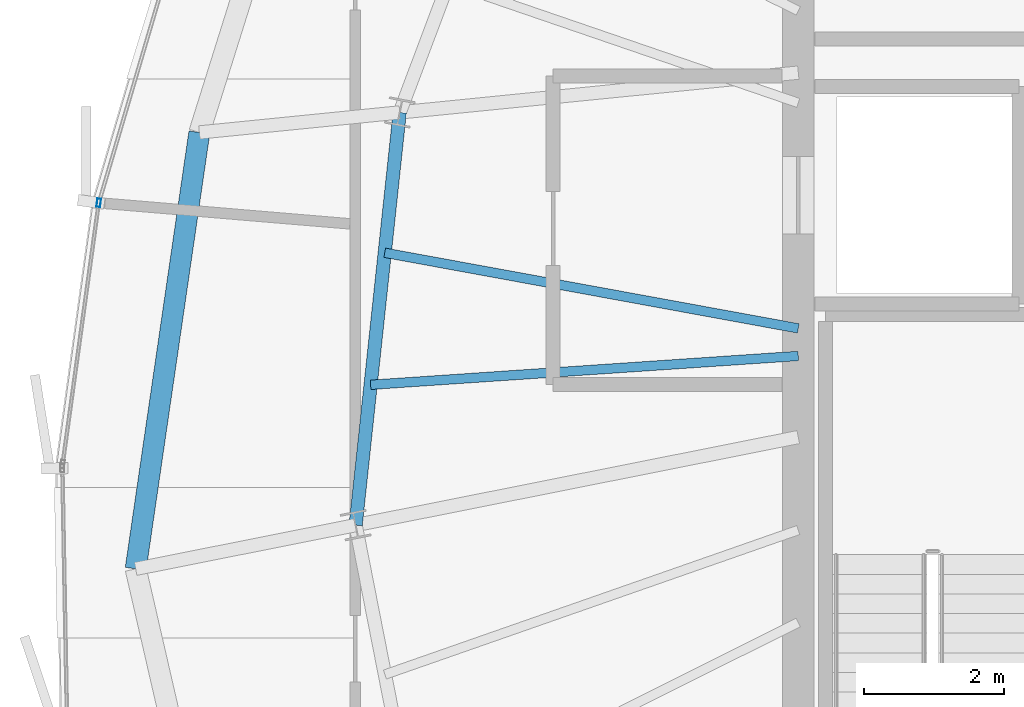
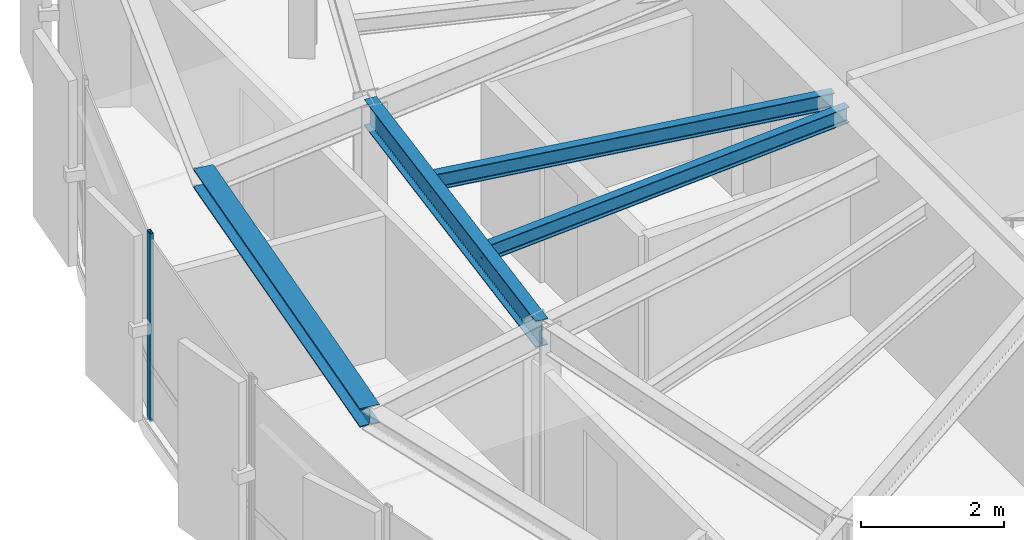
# One storey, part 11 of 32: 4 beams, 1 member, 1 element without a shape of its own.
"""IFC4 building model written with IfcOpenShell, lengths in metres."""

from ifc_helpers import new_model, si_unit, direction, frame, origin, origin_2d, place, context, subcontext, project, spatial, hollow_rectangle, i_section, extrude, source, transform, mapped, material, layer, layer_set, material_profile, profile_set, type_object, element, aggregate, save


model = new_model("IFC4")

# Units and contexts
model_context = context("Model", 3, precision=1e-05, world=origin(), true_north=direction((0.0, 1.0)))
body_context = subcontext(model_context, "Body", "Model", "MODEL_VIEW")
ifc_project = project(units=[si_unit("LENGTHUNIT", "METRE"), si_unit("AREAUNIT", "SQUARE_METRE"), si_unit("VOLUMEUNIT", "CUBIC_METRE"), si_unit("PLANEANGLEUNIT", "RADIAN"), si_unit("MASSUNIT", "GRAM", prefix="KILO"), si_unit("THERMODYNAMICTEMPERATUREUNIT", "KELVIN")], contexts=[model_context])

# Site, building, storey
site_placement = place(None, origin())
site = spatial("IfcSite", under=ifc_project, at=site_placement, CompositionType="ELEMENT")
building_placement = place(site_placement, origin())
building = spatial("IfcBuilding", under=site, at=building_placement, Name="Kethvar Cultural Tower", CompositionType="ELEMENT")
storey_placement = place(building_placement, frame((0.0, 0.0, 280.14990234375)))
storey = spatial("IfcBuildingStorey", under=building, at=storey_placement, Name="L74", CompositionType="ELEMENT", Elevation=280.14990234375)

# Beams
ifc_material_1 = material(Name="Steel S355J2", Category="steel")
ifc_material_profile_1 = material_profile(ifc_material_1, i_section(OverallWidth=0.18994140625, OverallDepth=0.449951171875, WebThickness=0.009521484375, FlangeThickness=0.0146484375, FilletRadius=0.02099609375, at=origin_2d()), Name="Steel S355J2 — IPE450")
ifc_profile_set_1 = profile_set([ifc_material_profile_1], Name="Steel S355J2 — IPE450")
beam_type_1 = type_object("IfcBeamType", Name="BM-IPE450", PredefinedType="BEAM", material=ifc_profile_set_1)
shared_shape_1 = source(origin(), body_context, "Body", "SweptSolid", [
    extrude(i_section(OverallWidth=0.18994140625, OverallDepth=0.449951171875, WebThickness=0.009521484375, FlangeThickness=0.0146484375, FilletRadius=0.02099609375, at=origin_2d()), origin(), (0.0, 0.0, 1.0), 5.92236328125),
])
beam_1_placement = place(storey_placement, frame((32.3125, 30.681884765625, 2.983154296875), z_axis=(-0.106272578913, -0.994337034899, 0.0), x_axis=(0.994337034899, -0.106272578913, 0.0)))
element("IfcBeam", 1, at=beam_1_placement, inside=storey, type_object=beam_type_1, Name="L74 Column Ring Tie Beam CR-08", PredefinedType="BEAM", context=body_context, shape_type="MappedRepresentation", body=[
    mapped(shared_shape_1, transform((0.0, 0.0, 0.0), scale=1.0)),
])
ifc_material_profile_2 = material_profile(ifc_material_1, i_section(OverallWidth=0.135009765625, OverallDepth=0.27001953125, WebThickness=0.006591796875, FlangeThickness=0.01025390625, FilletRadius=0.014892578125, at=origin_2d()), Name="Steel S355J2 — IPE270")
ifc_profile_set_2 = profile_set([ifc_material_profile_2], Name="Steel S355J2 — IPE270")
beam_type_2 = type_object("IfcBeamType", Name="BM-J270", PredefinedType="JOIST", material=ifc_profile_set_2)
shared_shape_2 = source(origin(), body_context, "Body", "SweptSolid", [
    extrude(i_section(OverallWidth=0.135009765625, OverallDepth=0.27001953125, WebThickness=0.006591796875, FlangeThickness=0.01025390625, FilletRadius=0.014892578125, at=origin_2d()), origin(), (0.0, 0.0, 1.0), 5.99951171875),
])
beam_2_placement = place(storey_placement, frame((38.0, 27.60009765625, 3.072998046875), z_axis=(-0.983676616141, 0.179945310742, 0.0), x_axis=(-0.179945310742, -0.983676616141, 0.0)))
element("IfcBeam", 2, at=beam_2_placement, inside=storey, type_object=beam_type_2, Name="L74 Composite Floor Joist J-08A", PredefinedType="JOIST", context=body_context, shape_type="MappedRepresentation", body=[
    mapped(shared_shape_2, transform((0.0, 0.0, 0.0), scale=1.0)),
])
shared_shape_3 = source(origin(), body_context, "Body", "SweptSolid", [
    extrude(i_section(OverallWidth=0.135009765625, OverallDepth=0.27001953125, WebThickness=0.006591796875, FlangeThickness=0.01025390625, FilletRadius=0.014892578125, at=origin_2d()), origin(), (0.0, 0.0, 1.0), 6.116943359375),
])
beam_3_placement = place(storey_placement, frame((38.0, 27.206787109375, 3.072998046875), z_axis=(-0.997733289627, -0.067292516454, 0.0), x_axis=(0.067292516454, -0.997733289627, 0.0)))
element("IfcBeam", 3, at=beam_3_placement, inside=storey, type_object=beam_type_2, Name="L74 Composite Floor Joist J-08B", PredefinedType="JOIST", context=body_context, shape_type="MappedRepresentation", body=[
    mapped(shared_shape_3, transform((0.0, 0.0, 0.0), scale=1.0)),
])
ifc_material_profile_3 = material_profile(ifc_material_1, i_section(OverallWidth=0.300048828125, OverallDepth=0.320068359375, WebThickness=0.011474609375, FlangeThickness=0.0205078125, FilletRadius=0.027099609375, at=origin_2d()), Name="Steel S355J2 — HEB320")
ifc_profile_set_3 = profile_set([ifc_material_profile_3], Name="Steel S355J2 — HEB320")
beam_type_3 = type_object("IfcBeamType", Name="BM-SP320", PredefinedType="SPANDREL", material=ifc_profile_set_3)
shared_shape_4 = source(origin(), body_context, "Body", "SweptSolid", [
    extrude(i_section(OverallWidth=0.300048828125, OverallDepth=0.320068359375, WebThickness=0.011474609375, FlangeThickness=0.0205078125, FilletRadius=0.027099609375, at=origin_2d()), origin(), (0.0, 0.0, 1.0), 6.29345703125),
])
beam_4_placement = place(storey_placement, frame((29.453125, 30.396240234375, 3.048095703125), z_axis=(-0.14438602752, -0.989521437391, 0.0), x_axis=(0.989521437391, -0.14438602752, 0.0)))
element("IfcBeam", 4, at=beam_4_placement, inside=storey, type_object=beam_type_3, Name="L74 Perimeter Spandrel Beam SP-08", PredefinedType="SPANDREL", context=body_context, shape_type="MappedRepresentation", body=[
    mapped(shared_shape_4, transform((0.0, 0.0, 0.0), scale=1.0)),
])

# Curtain wall, member
ifc_material_2 = material(Name="Aluminium 6063-T6", Category="aluminium")
ifc_layer = layer(ifc_material_2, 0.179931640625, Name="Aluminium 6063-T6", Category="aluminium")
ifc_layer_set = layer_set([ifc_layer], Name="Aluminium 6063-T6 (180 mm)")
curtain_wall_type = type_object("IfcCurtainWallType", Name="CW-SYS-05-Z56", PredefinedType="NOTDEFINED", material=ifc_layer_set)
curtain_wall_placement = place(storey_placement, origin())
curtain_wall = element("IfcCurtainWall", 5, at=curtain_wall_placement, inside=storey, type_object=curtain_wall_type, Name="L74 Curtain Wall Run 02", PredefinedType="NOTDEFINED")
ifc_material_profile_4 = material_profile(ifc_material_2, hollow_rectangle(XDim=0.054931640625, YDim=0.1201171875, WallThickness=0.00390625, at=origin_2d()), Name="Aluminium 6063-T6 — RHS120x55x4")
ifc_profile_set_4 = profile_set([ifc_material_profile_4], Name="Aluminium 6063-T6 — RHS120x55x4")
member_type = type_object("IfcMemberType", Name="CW-SYS-05-Z56-MUL", PredefinedType="MULLION", material=ifc_profile_set_4)
shared_shape_5 = source(origin(), body_context, "Body", "SweptSolid", [
    extrude(hollow_rectangle(XDim=0.054931640625, YDim=0.1201171875, WallThickness=0.00390625, at=origin_2d()), origin(), (0.0, 0.0, 1.0), 3.210205078125),
])
member_placement = place(storey_placement, frame((28.017822265625, 29.3916015625, 0.0), z_axis=(0.0, 0.0, 1.0), x_axis=(0.990557380089, -0.137098784642, 0.0)))
member = element("IfcMember", 6, at=member_placement, type_object=member_type, Name="CW-L74-R02 Mullion 6", PredefinedType="MULLION", context=body_context, shape_type="MappedRepresentation", body=[
    mapped(shared_shape_5, transform((0.0, 0.0, 0.0), scale=1.0)),
])
aggregate(curtain_wall, [member])

save(model, "model.ifc")
